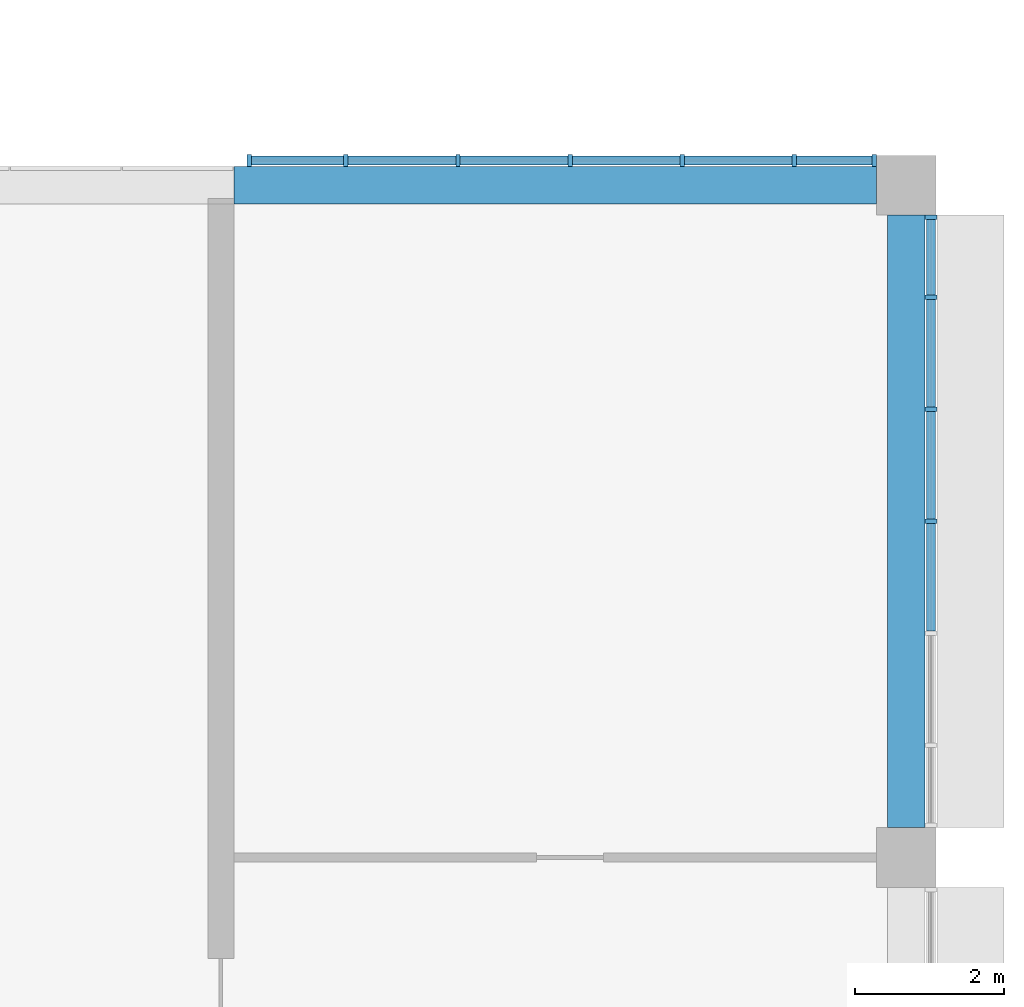
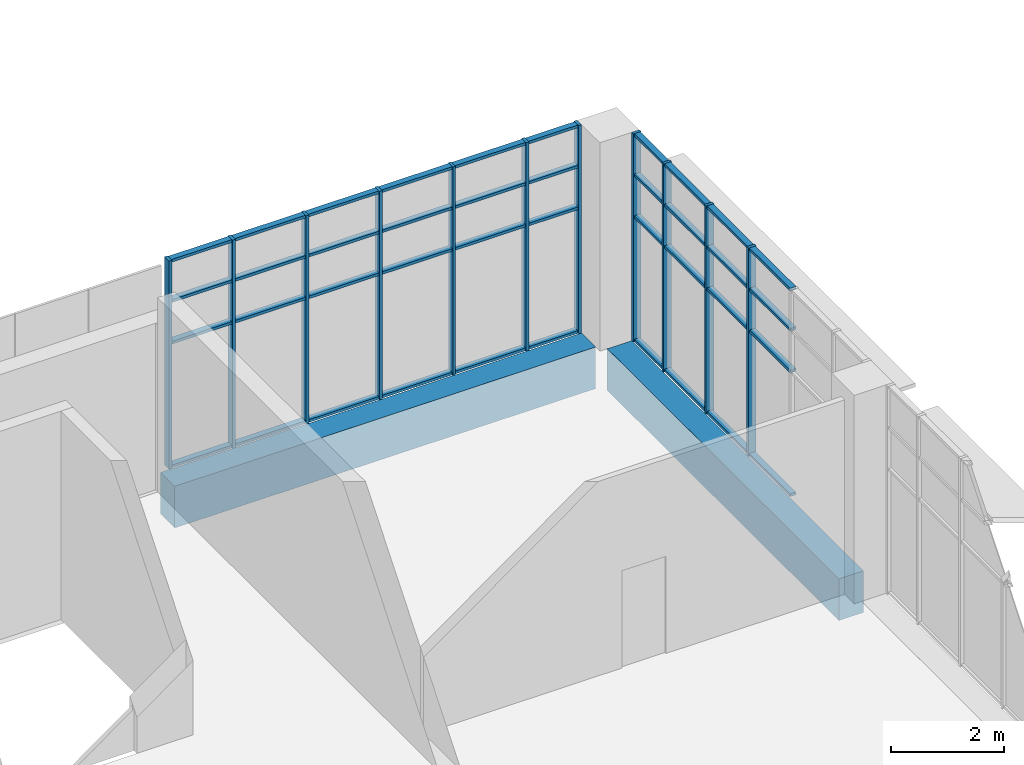
# One storey, part 23 of 43: 51 members, 2 beams, 2 elements without a shape of their own.
"""IFC4 building model written with IfcOpenShell, lengths in metres."""

from ifc_helpers import new_model, si_unit, direction, frame, origin, origin_2d, place, context, subcontext, project, spatial, rectangle, extrude, material, layer, layer_set, material_profile, profile_set, type_object, element, aggregate, save


model = new_model("IFC4")

# Units and contexts
model_context = context("Model", 3, precision=1e-05, world=origin(), true_north=direction((0.0, 1.0)))
body_context = subcontext(model_context, "Body", "Model", "MODEL_VIEW")
ifc_project = project(units=[si_unit("LENGTHUNIT", "METRE"), si_unit("AREAUNIT", "SQUARE_METRE"), si_unit("VOLUMEUNIT", "CUBIC_METRE"), si_unit("PLANEANGLEUNIT", "RADIAN"), si_unit("MASSUNIT", "GRAM", prefix="KILO")], contexts=[model_context])

# Site, building, storey
site_placement = place(None, origin())
site = spatial("IfcSite", under=ifc_project, at=site_placement, CompositionType="ELEMENT")
building_placement = place(site_placement, origin())
building = spatial("IfcBuilding", under=site, at=building_placement, Name="Guidao Yard Department Store", CompositionType="ELEMENT")
storey_placement = place(building_placement, frame((0.0, 0.0, 28.5)))
storey = spatial("IfcBuildingStorey", under=building, at=storey_placement, Name="L06", CompositionType="ELEMENT", Elevation=28.5)

# Curtain wall, members
ifc_material_1 = material(Name="Aluminium and glass", Category="aluminium")
ifc_layer = layer(ifc_material_1, 0.159912109375)
ifc_layer_set = layer_set([ifc_layer], Name="Unitised curtain wall CW4 1500 module")
curtain_wall_type = type_object("IfcCurtainWallType", Name="Unitised curtain wall CW4 1500 module", PredefinedType="NOTDEFINED", material=ifc_layer_set)
curtain_wall_1_placement = place(storey_placement, origin())
curtain_wall_1 = element("IfcCurtainWall", 1, at=curtain_wall_1_placement, inside=storey, type_object=curtain_wall_type, Name="Unitised curtain wall", PredefinedType="NOTDEFINED")
ifc_material_2 = material(Name="Aluminium 6063-T5", Category="aluminium")
ifc_material_profile_1 = material_profile(ifc_material_2, rectangle(XDim=0.06005859375, YDim=0.159912109375, at=origin_2d()), Name="Mullion M1 60 x 160 aluminium pressure plate")
ifc_profile_set_1 = profile_set([ifc_material_profile_1], Name="Aluminium 6063-T5")
member_type_1 = type_object("IfcMemberType", Name="Mullion M1 60 x 160 aluminium pressure plate", PredefinedType="MULLION", material=ifc_profile_set_1)
member_1_placement = place(storey_placement, frame((162.205078125, 27.330078125, 0.0), z_axis=(0.0, 0.0, 1.0), x_axis=(1.0, 0.0, 0.0)))
member_1 = element("IfcMember", 2, at=member_1_placement, type_object=member_type_1, Name="CW-OW-L06-08 mullion 1", PredefinedType="MULLION", context=body_context, shape_type="SweptSolid", body=[
    extrude(rectangle(XDim=0.06005859375, YDim=0.159912109375, at=origin_2d()), origin(), (0.0, 0.0, 1.0), 4.5),
])
member_2_placement = place(storey_placement, frame((163.5, 27.330078125, 0.0), z_axis=(0.0, 0.0, 1.0), x_axis=(1.0, 0.0, 0.0)))
member_2 = element("IfcMember", 3, at=member_2_placement, type_object=member_type_1, Name="CW-OW-L06-08 mullion 2", PredefinedType="MULLION", context=body_context, shape_type="SweptSolid", body=[
    extrude(rectangle(XDim=0.06005859375, YDim=0.159912109375, at=origin_2d()), origin(), (0.0, 0.0, 1.0), 4.5),
])
member_3_placement = place(storey_placement, frame((165.0, 27.330078125, 0.0), z_axis=(0.0, 0.0, 1.0), x_axis=(1.0, 0.0, 0.0)))
member_3 = element("IfcMember", 4, at=member_3_placement, type_object=member_type_1, Name="CW-OW-L06-08 mullion 3", PredefinedType="MULLION", context=body_context, shape_type="SweptSolid", body=[
    extrude(rectangle(XDim=0.06005859375, YDim=0.159912109375, at=origin_2d()), origin(), (0.0, 0.0, 1.0), 4.5),
])
member_4_placement = place(storey_placement, frame((166.5, 27.330078125, 0.0), z_axis=(0.0, 0.0, 1.0), x_axis=(1.0, 0.0, 0.0)))
member_4 = element("IfcMember", 5, at=member_4_placement, type_object=member_type_1, Name="CW-OW-L06-08 mullion 4", PredefinedType="MULLION", context=body_context, shape_type="SweptSolid", body=[
    extrude(rectangle(XDim=0.06005859375, YDim=0.159912109375, at=origin_2d()), origin(), (0.0, 0.0, 1.0), 4.5),
])
member_5_placement = place(storey_placement, frame((168.0, 27.330078125, 0.0), z_axis=(0.0, 0.0, 1.0), x_axis=(1.0, 0.0, 0.0)))
member_5 = element("IfcMember", 6, at=member_5_placement, type_object=member_type_1, Name="CW-OW-L06-08 mullion 5", PredefinedType="MULLION", context=body_context, shape_type="SweptSolid", body=[
    extrude(rectangle(XDim=0.06005859375, YDim=0.159912109375, at=origin_2d()), origin(), (0.0, 0.0, 1.0), 4.5),
])
member_6_placement = place(storey_placement, frame((169.5, 27.330078125, 0.0), z_axis=(0.0, 0.0, 1.0), x_axis=(1.0, 0.0, 0.0)))
member_6 = element("IfcMember", 7, at=member_6_placement, type_object=member_type_1, Name="CW-OW-L06-08 mullion 6", PredefinedType="MULLION", context=body_context, shape_type="SweptSolid", body=[
    extrude(rectangle(XDim=0.06005859375, YDim=0.159912109375, at=origin_2d()), origin(), (0.0, 0.0, 1.0), 4.5),
])
member_7_placement = place(storey_placement, frame((170.570068359375, 27.330078125, 0.0), z_axis=(0.0, 0.0, 1.0), x_axis=(1.0, 0.0, 0.0)))
member_7 = element("IfcMember", 8, at=member_7_placement, type_object=member_type_1, Name="CW-OW-L06-08 mullion 7", PredefinedType="MULLION", context=body_context, shape_type="SweptSolid", body=[
    extrude(rectangle(XDim=0.06005859375, YDim=0.159912109375, at=origin_2d()), origin(), (0.0, 0.0, 1.0), 4.5),
])

curtain_wall_2_placement = place(storey_placement, origin())
curtain_wall_2 = element("IfcCurtainWall", 9, at=curtain_wall_2_placement, inside=storey, type_object=curtain_wall_type, Name="Unitised curtain wall", PredefinedType="NOTDEFINED")
member_8_placement = place(storey_placement, frame((171.330078125, 22.5, 0.0), z_axis=(0.0, 0.0, 1.0), x_axis=(0.0, -1.0, 0.0)))
member_8 = element("IfcMember", 10, at=member_8_placement, type_object=member_type_1, Name="CW-OW-L06-11 mullion 4", PredefinedType="MULLION", context=body_context, shape_type="SweptSolid", body=[
    extrude(rectangle(XDim=0.06005859375, YDim=0.159912109375, at=origin_2d()), origin(), (0.0, 0.0, 1.0), 4.5),
])
member_9_placement = place(storey_placement, frame((171.330078125, 24.0, 0.0), z_axis=(0.0, 0.0, 1.0), x_axis=(0.0, -1.0, 0.0)))
member_9 = element("IfcMember", 11, at=member_9_placement, type_object=member_type_1, Name="CW-OW-L06-11 mullion 5", PredefinedType="MULLION", context=body_context, shape_type="SweptSolid", body=[
    extrude(rectangle(XDim=0.06005859375, YDim=0.159912109375, at=origin_2d()), origin(), (0.0, 0.0, 1.0), 4.5),
])
member_10_placement = place(storey_placement, frame((171.330078125, 25.5, 0.0), z_axis=(0.0, 0.0, 1.0), x_axis=(0.0, -1.0, 0.0)))
member_10 = element("IfcMember", 12, at=member_10_placement, type_object=member_type_1, Name="CW-OW-L06-11 mullion 6", PredefinedType="MULLION", context=body_context, shape_type="SweptSolid", body=[
    extrude(rectangle(XDim=0.06005859375, YDim=0.159912109375, at=origin_2d()), origin(), (0.0, 0.0, 1.0), 4.5),
])
member_11_placement = place(storey_placement, frame((171.330078125, 26.570068359375, 0.0), z_axis=(0.0, 0.0, 1.0), x_axis=(0.0, -1.0, 0.0)))
member_11 = element("IfcMember", 13, at=member_11_placement, type_object=member_type_1, Name="CW-OW-L06-11 mullion 7", PredefinedType="MULLION", context=body_context, shape_type="SweptSolid", body=[
    extrude(rectangle(XDim=0.06005859375, YDim=0.159912109375, at=origin_2d()), origin(), (0.0, 0.0, 1.0), 4.5),
])

# Beams
ifc_material_3 = material(Name="Concrete C40", Category="concrete")
ifc_material_profile_2 = material_profile(ifc_material_3, rectangle(XDim=0.5, YDim=0.89990234375, at=origin_2d()), Name="Spandrel beam 500 x 900 C40")
ifc_profile_set_2 = profile_set([ifc_material_profile_2], Name="Concrete C40")
beam_type = type_object("IfcBeamType", Name="Spandrel beam 500 x 900 C40", PredefinedType="SPANDREL", material=ifc_profile_set_2)
beam_1_placement = place(storey_placement, frame((162.0, 27.0, -0.449951171875), z_axis=(1.0, 0.0, 0.0), x_axis=(0.0, 1.0, 0.0)))
element("IfcBeam", 14, at=beam_1_placement, inside=storey, type_object=beam_type, Name="Beam FB08", PredefinedType="SPANDREL", context=body_context, shape_type="SweptSolid", body=[
    extrude(rectangle(XDim=0.5, YDim=0.89990234375, at=origin_2d()), origin(), (0.0, 0.0, 1.0), 8.60009765625),
])
beam_2_placement = place(storey_placement, frame((171.0, 18.39990234375, -0.449951171875), z_axis=(0.0, 1.0, 0.0), x_axis=(-1.0, 0.0, 0.0)))
element("IfcBeam", 15, at=beam_2_placement, inside=storey, type_object=beam_type, Name="Beam FB10", PredefinedType="SPANDREL", context=body_context, shape_type="SweptSolid", body=[
    extrude(rectangle(XDim=0.5, YDim=0.89990234375, at=origin_2d()), origin(), (0.0, 0.0, 1.0), 8.2001953125),
])

# Member
ifc_material_4 = material(Name="Aluminium 6063-T5", Category="aluminium")
ifc_material_profile_3 = material_profile(ifc_material_4, rectangle(XDim=0.1201171875, YDim=0.06005859375, at=origin_2d()), Name="Transom T1 60 x 120 aluminium pressure plate")
ifc_profile_set_3 = profile_set([ifc_material_profile_3], Name="Aluminium 6063-T5")
member_type_2 = type_object("IfcMemberType", Name="Transom T1 60 x 120 aluminium pressure plate", PredefinedType="USERDEFINED", material=ifc_profile_set_3)
member_12_placement = place(storey_placement, frame((162.235107421875, 27.330078125, 0.030029296875), z_axis=(1.0, 0.0, 0.0), x_axis=(0.0, 1.0, 0.0)))
member_12 = element("IfcMember", 16, at=member_12_placement, type_object=member_type_2, Name="CW-OW-L06-08 transom 1.1", ObjectType="TRANSOM", PredefinedType="USERDEFINED", context=body_context, shape_type="SweptSolid", body=[
    extrude(rectangle(XDim=0.1201171875, YDim=0.06005859375, at=origin_2d()), origin(), (0.0, 0.0, 1.0), 1.23486328125),
])

member_13_placement = place(storey_placement, frame((162.235107421875, 27.330078125, 2.699951171875), z_axis=(1.0, 0.0, 0.0), x_axis=(0.0, 1.0, 0.0)))
member_13 = element("IfcMember", 17, at=member_13_placement, type_object=member_type_2, Name="CW-OW-L06-08 transom 1.2", ObjectType="TRANSOM", PredefinedType="USERDEFINED", context=body_context, shape_type="SweptSolid", body=[
    extrude(rectangle(XDim=0.1201171875, YDim=0.06005859375, at=origin_2d()), origin(), (0.0, 0.0, 1.0), 1.23486328125),
])

member_14_placement = place(storey_placement, frame((162.235107421875, 27.330078125, 3.60009765625), z_axis=(1.0, 0.0, 0.0), x_axis=(0.0, 1.0, 0.0)))
member_14 = element("IfcMember", 18, at=member_14_placement, type_object=member_type_2, Name="CW-OW-L06-08 transom 1.3", ObjectType="TRANSOM", PredefinedType="USERDEFINED", context=body_context, shape_type="SweptSolid", body=[
    extrude(rectangle(XDim=0.1201171875, YDim=0.06005859375, at=origin_2d()), origin(), (0.0, 0.0, 1.0), 1.23486328125),
])

member_15_placement = place(storey_placement, frame((162.235107421875, 27.330078125, 4.469970703125), z_axis=(1.0, 0.0, 0.0), x_axis=(0.0, 1.0, 0.0)))
member_15 = element("IfcMember", 19, at=member_15_placement, type_object=member_type_2, Name="CW-OW-L06-08 transom 1.4", ObjectType="TRANSOM", PredefinedType="USERDEFINED", context=body_context, shape_type="SweptSolid", body=[
    extrude(rectangle(XDim=0.1201171875, YDim=0.06005859375, at=origin_2d()), origin(), (0.0, 0.0, 1.0), 1.23486328125),
])

member_16_placement = place(storey_placement, frame((163.530029296875, 27.330078125, 0.030029296875), z_axis=(1.0, 0.0, 0.0), x_axis=(0.0, 1.0, 0.0)))
member_16 = element("IfcMember", 20, at=member_16_placement, type_object=member_type_2, Name="CW-OW-L06-08 transom 2.1", ObjectType="TRANSOM", PredefinedType="USERDEFINED", context=body_context, shape_type="SweptSolid", body=[
    extrude(rectangle(XDim=0.1201171875, YDim=0.06005859375, at=origin_2d()), origin(), (0.0, 0.0, 1.0), 1.43994140625),
])

member_17_placement = place(storey_placement, frame((163.530029296875, 27.330078125, 2.699951171875), z_axis=(1.0, 0.0, 0.0), x_axis=(0.0, 1.0, 0.0)))
member_17 = element("IfcMember", 21, at=member_17_placement, type_object=member_type_2, Name="CW-OW-L06-08 transom 2.2", ObjectType="TRANSOM", PredefinedType="USERDEFINED", context=body_context, shape_type="SweptSolid", body=[
    extrude(rectangle(XDim=0.1201171875, YDim=0.06005859375, at=origin_2d()), origin(), (0.0, 0.0, 1.0), 1.43994140625),
])

member_18_placement = place(storey_placement, frame((163.530029296875, 27.330078125, 3.60009765625), z_axis=(1.0, 0.0, 0.0), x_axis=(0.0, 1.0, 0.0)))
member_18 = element("IfcMember", 22, at=member_18_placement, type_object=member_type_2, Name="CW-OW-L06-08 transom 2.3", ObjectType="TRANSOM", PredefinedType="USERDEFINED", context=body_context, shape_type="SweptSolid", body=[
    extrude(rectangle(XDim=0.1201171875, YDim=0.06005859375, at=origin_2d()), origin(), (0.0, 0.0, 1.0), 1.43994140625),
])

member_19_placement = place(storey_placement, frame((163.530029296875, 27.330078125, 4.469970703125), z_axis=(1.0, 0.0, 0.0), x_axis=(0.0, 1.0, 0.0)))
member_19 = element("IfcMember", 23, at=member_19_placement, type_object=member_type_2, Name="CW-OW-L06-08 transom 2.4", ObjectType="TRANSOM", PredefinedType="USERDEFINED", context=body_context, shape_type="SweptSolid", body=[
    extrude(rectangle(XDim=0.1201171875, YDim=0.06005859375, at=origin_2d()), origin(), (0.0, 0.0, 1.0), 1.43994140625),
])

member_20_placement = place(storey_placement, frame((165.030029296875, 27.330078125, 0.030029296875), z_axis=(1.0, 0.0, 0.0), x_axis=(0.0, 1.0, 0.0)))
member_20 = element("IfcMember", 24, at=member_20_placement, type_object=member_type_2, Name="CW-OW-L06-08 transom 3.1", ObjectType="TRANSOM", PredefinedType="USERDEFINED", context=body_context, shape_type="SweptSolid", body=[
    extrude(rectangle(XDim=0.1201171875, YDim=0.06005859375, at=origin_2d()), origin(), (0.0, 0.0, 1.0), 1.43994140625),
])

member_21_placement = place(storey_placement, frame((165.030029296875, 27.330078125, 2.699951171875), z_axis=(1.0, 0.0, 0.0), x_axis=(0.0, 1.0, 0.0)))
member_21 = element("IfcMember", 25, at=member_21_placement, type_object=member_type_2, Name="CW-OW-L06-08 transom 3.2", ObjectType="TRANSOM", PredefinedType="USERDEFINED", context=body_context, shape_type="SweptSolid", body=[
    extrude(rectangle(XDim=0.1201171875, YDim=0.06005859375, at=origin_2d()), origin(), (0.0, 0.0, 1.0), 1.43994140625),
])

member_22_placement = place(storey_placement, frame((165.030029296875, 27.330078125, 3.60009765625), z_axis=(1.0, 0.0, 0.0), x_axis=(0.0, 1.0, 0.0)))
member_22 = element("IfcMember", 26, at=member_22_placement, type_object=member_type_2, Name="CW-OW-L06-08 transom 3.3", ObjectType="TRANSOM", PredefinedType="USERDEFINED", context=body_context, shape_type="SweptSolid", body=[
    extrude(rectangle(XDim=0.1201171875, YDim=0.06005859375, at=origin_2d()), origin(), (0.0, 0.0, 1.0), 1.43994140625),
])

member_23_placement = place(storey_placement, frame((165.030029296875, 27.330078125, 4.469970703125), z_axis=(1.0, 0.0, 0.0), x_axis=(0.0, 1.0, 0.0)))
member_23 = element("IfcMember", 27, at=member_23_placement, type_object=member_type_2, Name="CW-OW-L06-08 transom 3.4", ObjectType="TRANSOM", PredefinedType="USERDEFINED", context=body_context, shape_type="SweptSolid", body=[
    extrude(rectangle(XDim=0.1201171875, YDim=0.06005859375, at=origin_2d()), origin(), (0.0, 0.0, 1.0), 1.43994140625),
])

member_24_placement = place(storey_placement, frame((166.530029296875, 27.330078125, 0.030029296875), z_axis=(1.0, 0.0, 0.0), x_axis=(0.0, 1.0, 0.0)))
member_24 = element("IfcMember", 28, at=member_24_placement, type_object=member_type_2, Name="CW-OW-L06-08 transom 4.1", ObjectType="TRANSOM", PredefinedType="USERDEFINED", context=body_context, shape_type="SweptSolid", body=[
    extrude(rectangle(XDim=0.1201171875, YDim=0.06005859375, at=origin_2d()), origin(), (0.0, 0.0, 1.0), 1.43994140625),
])

member_25_placement = place(storey_placement, frame((166.530029296875, 27.330078125, 2.699951171875), z_axis=(1.0, 0.0, 0.0), x_axis=(0.0, 1.0, 0.0)))
member_25 = element("IfcMember", 29, at=member_25_placement, type_object=member_type_2, Name="CW-OW-L06-08 transom 4.2", ObjectType="TRANSOM", PredefinedType="USERDEFINED", context=body_context, shape_type="SweptSolid", body=[
    extrude(rectangle(XDim=0.1201171875, YDim=0.06005859375, at=origin_2d()), origin(), (0.0, 0.0, 1.0), 1.43994140625),
])

member_26_placement = place(storey_placement, frame((166.530029296875, 27.330078125, 3.60009765625), z_axis=(1.0, 0.0, 0.0), x_axis=(0.0, 1.0, 0.0)))
member_26 = element("IfcMember", 30, at=member_26_placement, type_object=member_type_2, Name="CW-OW-L06-08 transom 4.3", ObjectType="TRANSOM", PredefinedType="USERDEFINED", context=body_context, shape_type="SweptSolid", body=[
    extrude(rectangle(XDim=0.1201171875, YDim=0.06005859375, at=origin_2d()), origin(), (0.0, 0.0, 1.0), 1.43994140625),
])

member_27_placement = place(storey_placement, frame((166.530029296875, 27.330078125, 4.469970703125), z_axis=(1.0, 0.0, 0.0), x_axis=(0.0, 1.0, 0.0)))
member_27 = element("IfcMember", 31, at=member_27_placement, type_object=member_type_2, Name="CW-OW-L06-08 transom 4.4", ObjectType="TRANSOM", PredefinedType="USERDEFINED", context=body_context, shape_type="SweptSolid", body=[
    extrude(rectangle(XDim=0.1201171875, YDim=0.06005859375, at=origin_2d()), origin(), (0.0, 0.0, 1.0), 1.43994140625),
])

member_28_placement = place(storey_placement, frame((168.030029296875, 27.330078125, 0.030029296875), z_axis=(1.0, 0.0, 0.0), x_axis=(0.0, 1.0, 0.0)))
member_28 = element("IfcMember", 32, at=member_28_placement, type_object=member_type_2, Name="CW-OW-L06-08 transom 5.1", ObjectType="TRANSOM", PredefinedType="USERDEFINED", context=body_context, shape_type="SweptSolid", body=[
    extrude(rectangle(XDim=0.1201171875, YDim=0.06005859375, at=origin_2d()), origin(), (0.0, 0.0, 1.0), 1.43994140625),
])

member_29_placement = place(storey_placement, frame((168.030029296875, 27.330078125, 2.699951171875), z_axis=(1.0, 0.0, 0.0), x_axis=(0.0, 1.0, 0.0)))
member_29 = element("IfcMember", 33, at=member_29_placement, type_object=member_type_2, Name="CW-OW-L06-08 transom 5.2", ObjectType="TRANSOM", PredefinedType="USERDEFINED", context=body_context, shape_type="SweptSolid", body=[
    extrude(rectangle(XDim=0.1201171875, YDim=0.06005859375, at=origin_2d()), origin(), (0.0, 0.0, 1.0), 1.43994140625),
])

member_30_placement = place(storey_placement, frame((168.030029296875, 27.330078125, 3.60009765625), z_axis=(1.0, 0.0, 0.0), x_axis=(0.0, 1.0, 0.0)))
member_30 = element("IfcMember", 34, at=member_30_placement, type_object=member_type_2, Name="CW-OW-L06-08 transom 5.3", ObjectType="TRANSOM", PredefinedType="USERDEFINED", context=body_context, shape_type="SweptSolid", body=[
    extrude(rectangle(XDim=0.1201171875, YDim=0.06005859375, at=origin_2d()), origin(), (0.0, 0.0, 1.0), 1.43994140625),
])

member_31_placement = place(storey_placement, frame((168.030029296875, 27.330078125, 4.469970703125), z_axis=(1.0, 0.0, 0.0), x_axis=(0.0, 1.0, 0.0)))
member_31 = element("IfcMember", 35, at=member_31_placement, type_object=member_type_2, Name="CW-OW-L06-08 transom 5.4", ObjectType="TRANSOM", PredefinedType="USERDEFINED", context=body_context, shape_type="SweptSolid", body=[
    extrude(rectangle(XDim=0.1201171875, YDim=0.06005859375, at=origin_2d()), origin(), (0.0, 0.0, 1.0), 1.43994140625),
])

member_32_placement = place(storey_placement, frame((169.530029296875, 27.330078125, 0.030029296875), z_axis=(1.0, 0.0, 0.0), x_axis=(0.0, 1.0, 0.0)))
member_32 = element("IfcMember", 36, at=member_32_placement, type_object=member_type_2, Name="CW-OW-L06-08 transom 6.1", ObjectType="TRANSOM", PredefinedType="USERDEFINED", context=body_context, shape_type="SweptSolid", body=[
    extrude(rectangle(XDim=0.1201171875, YDim=0.06005859375, at=origin_2d()), origin(), (0.0, 0.0, 1.0), 1.010009765625),
])

member_33_placement = place(storey_placement, frame((169.530029296875, 27.330078125, 2.699951171875), z_axis=(1.0, 0.0, 0.0), x_axis=(0.0, 1.0, 0.0)))
member_33 = element("IfcMember", 37, at=member_33_placement, type_object=member_type_2, Name="CW-OW-L06-08 transom 6.2", ObjectType="TRANSOM", PredefinedType="USERDEFINED", context=body_context, shape_type="SweptSolid", body=[
    extrude(rectangle(XDim=0.1201171875, YDim=0.06005859375, at=origin_2d()), origin(), (0.0, 0.0, 1.0), 1.010009765625),
])

member_34_placement = place(storey_placement, frame((169.530029296875, 27.330078125, 3.60009765625), z_axis=(1.0, 0.0, 0.0), x_axis=(0.0, 1.0, 0.0)))
member_34 = element("IfcMember", 38, at=member_34_placement, type_object=member_type_2, Name="CW-OW-L06-08 transom 6.3", ObjectType="TRANSOM", PredefinedType="USERDEFINED", context=body_context, shape_type="SweptSolid", body=[
    extrude(rectangle(XDim=0.1201171875, YDim=0.06005859375, at=origin_2d()), origin(), (0.0, 0.0, 1.0), 1.010009765625),
])

member_35_placement = place(storey_placement, frame((169.530029296875, 27.330078125, 4.469970703125), z_axis=(1.0, 0.0, 0.0), x_axis=(0.0, 1.0, 0.0)))
member_35 = element("IfcMember", 39, at=member_35_placement, type_object=member_type_2, Name="CW-OW-L06-08 transom 6.4", ObjectType="TRANSOM", PredefinedType="USERDEFINED", context=body_context, shape_type="SweptSolid", body=[
    extrude(rectangle(XDim=0.1201171875, YDim=0.06005859375, at=origin_2d()), origin(), (0.0, 0.0, 1.0), 1.010009765625),
])

aggregate(curtain_wall_1, [member_1, member_2, member_3, member_4, member_5, member_6, member_7, member_12, member_13, member_14, member_15, member_16, member_17, member_18, member_19, member_20, member_21, member_22, member_23, member_24, member_25, member_26, member_27, member_28, member_29, member_30, member_31, member_32, member_33, member_34, member_35])

member_36_placement = place(storey_placement, frame((171.330078125, 22.469970703125, 0.030029296875), z_axis=(0.0, -1.0, 0.0), x_axis=(1.0, 0.0, 0.0)))
member_36 = element("IfcMember", 40, at=member_36_placement, type_object=member_type_2, Name="CW-OW-L06-11 transom 3.1", ObjectType="TRANSOM", PredefinedType="USERDEFINED", context=body_context, shape_type="SweptSolid", body=[
    extrude(rectangle(XDim=0.1201171875, YDim=0.06005859375, at=origin_2d()), origin(), (0.0, 0.0, 1.0), 1.43994140625),
])

member_37_placement = place(storey_placement, frame((171.330078125, 22.469970703125, 2.699951171875), z_axis=(0.0, -1.0, 0.0), x_axis=(1.0, 0.0, 0.0)))
member_37 = element("IfcMember", 41, at=member_37_placement, type_object=member_type_2, Name="CW-OW-L06-11 transom 3.2", ObjectType="TRANSOM", PredefinedType="USERDEFINED", context=body_context, shape_type="SweptSolid", body=[
    extrude(rectangle(XDim=0.1201171875, YDim=0.06005859375, at=origin_2d()), origin(), (0.0, 0.0, 1.0), 1.43994140625),
])

member_38_placement = place(storey_placement, frame((171.330078125, 22.469970703125, 3.60009765625), z_axis=(0.0, -1.0, 0.0), x_axis=(1.0, 0.0, 0.0)))
member_38 = element("IfcMember", 42, at=member_38_placement, type_object=member_type_2, Name="CW-OW-L06-11 transom 3.3", ObjectType="TRANSOM", PredefinedType="USERDEFINED", context=body_context, shape_type="SweptSolid", body=[
    extrude(rectangle(XDim=0.1201171875, YDim=0.06005859375, at=origin_2d()), origin(), (0.0, 0.0, 1.0), 1.43994140625),
])

member_39_placement = place(storey_placement, frame((171.330078125, 22.469970703125, 4.469970703125), z_axis=(0.0, -1.0, 0.0), x_axis=(1.0, 0.0, 0.0)))
member_39 = element("IfcMember", 43, at=member_39_placement, type_object=member_type_2, Name="CW-OW-L06-11 transom 3.4", ObjectType="TRANSOM", PredefinedType="USERDEFINED", context=body_context, shape_type="SweptSolid", body=[
    extrude(rectangle(XDim=0.1201171875, YDim=0.06005859375, at=origin_2d()), origin(), (0.0, 0.0, 1.0), 1.43994140625),
])

member_40_placement = place(storey_placement, frame((171.330078125, 23.969970703125, 0.030029296875), z_axis=(0.0, -1.0, 0.0), x_axis=(1.0, 0.0, 0.0)))
member_40 = element("IfcMember", 44, at=member_40_placement, type_object=member_type_2, Name="CW-OW-L06-11 transom 4.1", ObjectType="TRANSOM", PredefinedType="USERDEFINED", context=body_context, shape_type="SweptSolid", body=[
    extrude(rectangle(XDim=0.1201171875, YDim=0.06005859375, at=origin_2d()), origin(), (0.0, 0.0, 1.0), 1.43994140625),
])

member_41_placement = place(storey_placement, frame((171.330078125, 23.969970703125, 2.699951171875), z_axis=(0.0, -1.0, 0.0), x_axis=(1.0, 0.0, 0.0)))
member_41 = element("IfcMember", 45, at=member_41_placement, type_object=member_type_2, Name="CW-OW-L06-11 transom 4.2", ObjectType="TRANSOM", PredefinedType="USERDEFINED", context=body_context, shape_type="SweptSolid", body=[
    extrude(rectangle(XDim=0.1201171875, YDim=0.06005859375, at=origin_2d()), origin(), (0.0, 0.0, 1.0), 1.43994140625),
])

member_42_placement = place(storey_placement, frame((171.330078125, 23.969970703125, 3.60009765625), z_axis=(0.0, -1.0, 0.0), x_axis=(1.0, 0.0, 0.0)))
member_42 = element("IfcMember", 46, at=member_42_placement, type_object=member_type_2, Name="CW-OW-L06-11 transom 4.3", ObjectType="TRANSOM", PredefinedType="USERDEFINED", context=body_context, shape_type="SweptSolid", body=[
    extrude(rectangle(XDim=0.1201171875, YDim=0.06005859375, at=origin_2d()), origin(), (0.0, 0.0, 1.0), 1.43994140625),
])

member_43_placement = place(storey_placement, frame((171.330078125, 23.969970703125, 4.469970703125), z_axis=(0.0, -1.0, 0.0), x_axis=(1.0, 0.0, 0.0)))
member_43 = element("IfcMember", 47, at=member_43_placement, type_object=member_type_2, Name="CW-OW-L06-11 transom 4.4", ObjectType="TRANSOM", PredefinedType="USERDEFINED", context=body_context, shape_type="SweptSolid", body=[
    extrude(rectangle(XDim=0.1201171875, YDim=0.06005859375, at=origin_2d()), origin(), (0.0, 0.0, 1.0), 1.43994140625),
])

member_44_placement = place(storey_placement, frame((171.330078125, 25.469970703125, 0.030029296875), z_axis=(0.0, -1.0, 0.0), x_axis=(1.0, 0.0, 0.0)))
member_44 = element("IfcMember", 48, at=member_44_placement, type_object=member_type_2, Name="CW-OW-L06-11 transom 5.1", ObjectType="TRANSOM", PredefinedType="USERDEFINED", context=body_context, shape_type="SweptSolid", body=[
    extrude(rectangle(XDim=0.1201171875, YDim=0.06005859375, at=origin_2d()), origin(), (0.0, 0.0, 1.0), 1.43994140625),
])

member_45_placement = place(storey_placement, frame((171.330078125, 25.469970703125, 2.699951171875), z_axis=(0.0, -1.0, 0.0), x_axis=(1.0, 0.0, 0.0)))
member_45 = element("IfcMember", 49, at=member_45_placement, type_object=member_type_2, Name="CW-OW-L06-11 transom 5.2", ObjectType="TRANSOM", PredefinedType="USERDEFINED", context=body_context, shape_type="SweptSolid", body=[
    extrude(rectangle(XDim=0.1201171875, YDim=0.06005859375, at=origin_2d()), origin(), (0.0, 0.0, 1.0), 1.43994140625),
])

member_46_placement = place(storey_placement, frame((171.330078125, 25.469970703125, 3.60009765625), z_axis=(0.0, -1.0, 0.0), x_axis=(1.0, 0.0, 0.0)))
member_46 = element("IfcMember", 50, at=member_46_placement, type_object=member_type_2, Name="CW-OW-L06-11 transom 5.3", ObjectType="TRANSOM", PredefinedType="USERDEFINED", context=body_context, shape_type="SweptSolid", body=[
    extrude(rectangle(XDim=0.1201171875, YDim=0.06005859375, at=origin_2d()), origin(), (0.0, 0.0, 1.0), 1.43994140625),
])

member_47_placement = place(storey_placement, frame((171.330078125, 25.469970703125, 4.469970703125), z_axis=(0.0, -1.0, 0.0), x_axis=(1.0, 0.0, 0.0)))
member_47 = element("IfcMember", 51, at=member_47_placement, type_object=member_type_2, Name="CW-OW-L06-11 transom 5.4", ObjectType="TRANSOM", PredefinedType="USERDEFINED", context=body_context, shape_type="SweptSolid", body=[
    extrude(rectangle(XDim=0.1201171875, YDim=0.06005859375, at=origin_2d()), origin(), (0.0, 0.0, 1.0), 1.43994140625),
])

member_48_placement = place(storey_placement, frame((171.330078125, 26.5400390625, 0.030029296875), z_axis=(0.0, -1.0, 0.0), x_axis=(1.0, 0.0, 0.0)))
member_48 = element("IfcMember", 52, at=member_48_placement, type_object=member_type_2, Name="CW-OW-L06-11 transom 6.1", ObjectType="TRANSOM", PredefinedType="USERDEFINED", context=body_context, shape_type="SweptSolid", body=[
    extrude(rectangle(XDim=0.1201171875, YDim=0.06005859375, at=origin_2d()), origin(), (0.0, 0.0, 1.0), 1.010009765625),
])

member_49_placement = place(storey_placement, frame((171.330078125, 26.5400390625, 2.699951171875), z_axis=(0.0, -1.0, 0.0), x_axis=(1.0, 0.0, 0.0)))
member_49 = element("IfcMember", 53, at=member_49_placement, type_object=member_type_2, Name="CW-OW-L06-11 transom 6.2", ObjectType="TRANSOM", PredefinedType="USERDEFINED", context=body_context, shape_type="SweptSolid", body=[
    extrude(rectangle(XDim=0.1201171875, YDim=0.06005859375, at=origin_2d()), origin(), (0.0, 0.0, 1.0), 1.010009765625),
])

member_50_placement = place(storey_placement, frame((171.330078125, 26.5400390625, 3.60009765625), z_axis=(0.0, -1.0, 0.0), x_axis=(1.0, 0.0, 0.0)))
member_50 = element("IfcMember", 54, at=member_50_placement, type_object=member_type_2, Name="CW-OW-L06-11 transom 6.3", ObjectType="TRANSOM", PredefinedType="USERDEFINED", context=body_context, shape_type="SweptSolid", body=[
    extrude(rectangle(XDim=0.1201171875, YDim=0.06005859375, at=origin_2d()), origin(), (0.0, 0.0, 1.0), 1.010009765625),
])

member_51_placement = place(storey_placement, frame((171.330078125, 26.5400390625, 4.469970703125), z_axis=(0.0, -1.0, 0.0), x_axis=(1.0, 0.0, 0.0)))
member_51 = element("IfcMember", 55, at=member_51_placement, type_object=member_type_2, Name="CW-OW-L06-11 transom 6.4", ObjectType="TRANSOM", PredefinedType="USERDEFINED", context=body_context, shape_type="SweptSolid", body=[
    extrude(rectangle(XDim=0.1201171875, YDim=0.06005859375, at=origin_2d()), origin(), (0.0, 0.0, 1.0), 1.010009765625),
])

aggregate(curtain_wall_2, [member_8, member_9, member_10, member_11, member_36, member_37, member_38, member_39, member_40, member_41, member_42, member_43, member_44, member_45, member_46, member_47, member_48, member_49, member_50, member_51])

save(model, "model.ifc")
